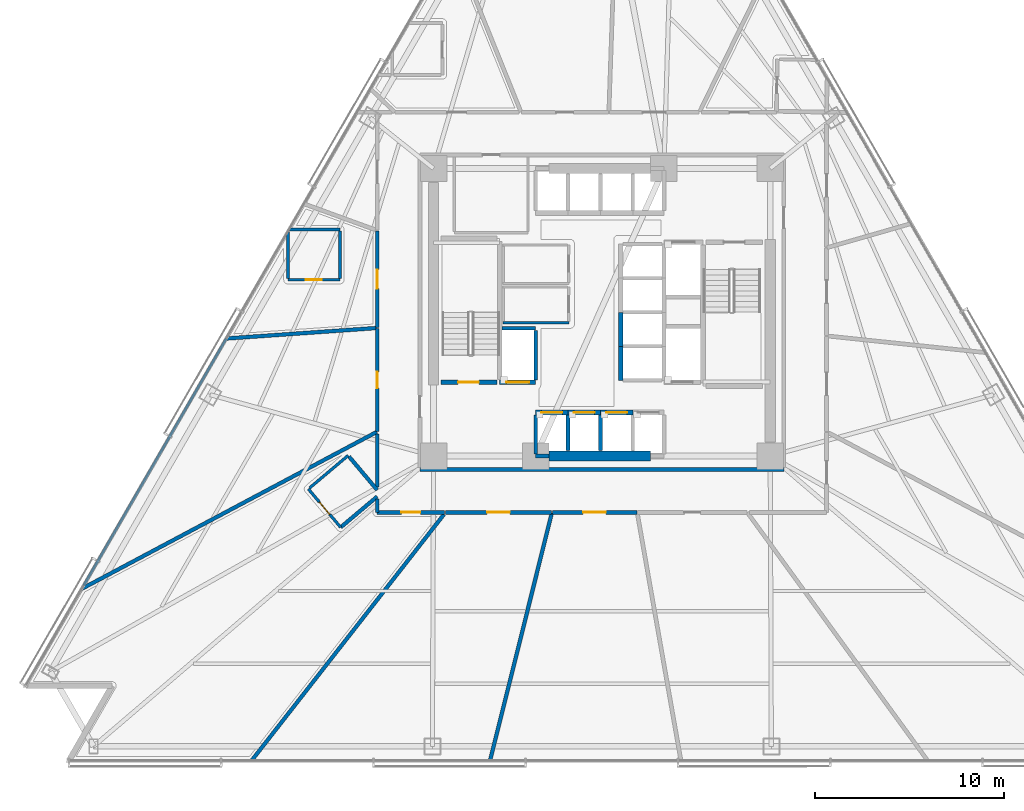
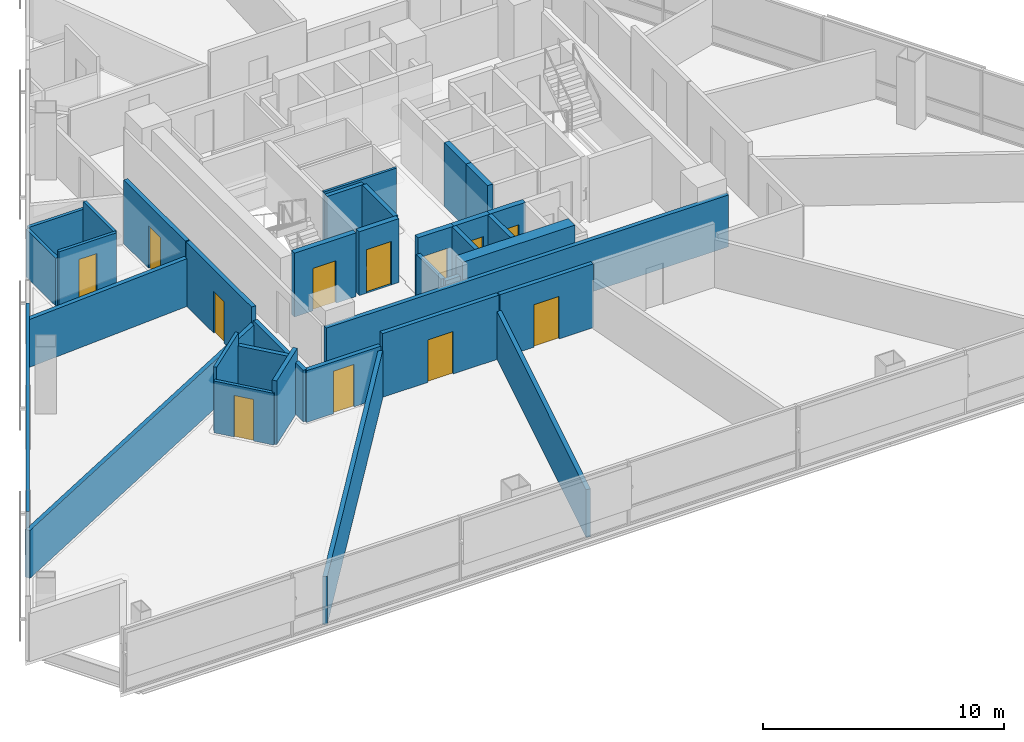
# One storey, part 7 of 16: 36 walls, 12 doors, 12 openings.
"""IFC4 building model written with IfcOpenShell, lengths in metres."""

from ifc_helpers import new_model, si_unit, direction, frame, frame_2d, origin, place, context, subcontext, project, spatial, rectangle, extrude, material, layer, layer_set, type_object, element, fill, save


model = new_model("IFC4")

# Units and contexts
model_context = context("Model", 3, precision=1e-05, world=origin(), true_north=direction((0.0, 1.0)))
body_context = subcontext(model_context, "Body", "Model", "MODEL_VIEW")
ifc_project = project(units=[si_unit("LENGTHUNIT", "METRE"), si_unit("AREAUNIT", "SQUARE_METRE"), si_unit("VOLUMEUNIT", "CUBIC_METRE"), si_unit("PLANEANGLEUNIT", "RADIAN"), si_unit("MASSUNIT", "GRAM", prefix="KILO")], contexts=[model_context])

# Site, building, storey
site_placement = place(None, origin())
site = spatial("IfcSite", under=ifc_project, at=site_placement, CompositionType="ELEMENT")
building_placement = place(site_placement, origin())
building = spatial("IfcBuilding", under=site, at=building_placement, Name="Tharavind Bronze Gate", CompositionType="ELEMENT")
storey_placement = place(building_placement, frame((0.0, 0.0, 45.449951171875)))
storey = spatial("IfcBuildingStorey", under=building, at=storey_placement, Name="L10", CompositionType="ELEMENT", Elevation=45.449951171875)

# Walls
ifc_material_1 = material(Name="Aerated Concrete Block", Category="concrete")
ifc_layer_1 = layer(ifc_material_1, 0.199951171875)
ifc_layer_set_1 = layer_set([ifc_layer_1], Name="Aerated Concrete Block")
wall_type_1 = type_object("IfcWallType", Name="FIRE RATED PARTITION 200", PredefinedType="PARTITIONING", material=ifc_layer_set_1)
wall_1_placement = place(storey_placement, frame((-9.6201171875, -8.320068359375, 0.0), z_axis=(0.0, 0.0, 1.0), x_axis=(1.0, 0.0, 0.0)))
element("IfcWall", 1, at=wall_1_placement, inside=storey, type_object=wall_type_1, Name="L10 south core corridor wall", PredefinedType="PARTITIONING", context=body_context, shape_type="SweptSolid", body=[
    extrude(rectangle(XDim=19.240234375, YDim=0.199951171875, at=frame_2d((9.6201171875, 0.0))), origin(), (0.0, 0.0, 1.0), 2.6201171875),
])
wall_2_placement = place(storey_placement, frame((-11.8798828125, -9.744873046875, 0.0), z_axis=(0.0, 0.0, 1.0), x_axis=(-0.764712982519, -0.644371053328, 0.0)))
element("IfcWall", 2, at=wall_2_placement, inside=storey, type_object=wall_type_1, Name="L10 En-Suite Bathroom partition", PredefinedType="PARTITIONING", context=body_context, shape_type="SweptSolid", body=[
    extrude(rectangle(XDim=2.523681640625, YDim=0.199951171875, at=frame_2d((1.26171875, 0.0))), origin(), (0.0, 0.0, 1.0), 3.22509765625),
])
wall_3_placement = place(storey_placement, frame((-13.363037109375, -7.6337890625, 0.0), z_axis=(0.0, 0.0, 1.0), x_axis=(0.644400290836, -0.764688345125, 0.0)))
element("IfcWall", 3, at=wall_3_placement, inside=storey, type_object=wall_type_1, Name="L10 En-Suite Bathroom partition", PredefinedType="PARTITIONING", context=body_context, shape_type="SweptSolid", body=[
    extrude(rectangle(XDim=2.301513671875, YDim=0.199951171875, at=frame_2d((1.15087890625, 0.0))), origin(), (0.0, 0.0, 1.0), 2.6201171875),
])
wall_4_placement = place(storey_placement, frame((-19.8408203125, -1.387451171875, 0.0), z_axis=(0.0, 0.0, 1.0), x_axis=(0.997562942672, 0.069772311179, 0.0)))
element("IfcWall", 4, at=wall_4_placement, inside=storey, type_object=wall_type_1, Name="L10 Public Restrooms Block partition", PredefinedType="PARTITIONING", context=body_context, shape_type="SweptSolid", body=[
    extrude(rectangle(XDim=7.953369140625, YDim=0.199951171875, at=frame_2d((3.9765625, 0.0))), origin(), (0.0, 0.0, 1.0), 2.420166015625),
])

# Wall, opening, door
wall_5_placement = place(storey_placement, frame((-11.8798828125, -0.857421875, 0.0), z_axis=(0.0, 0.0, 1.0), x_axis=(0.0, -1.0, 0.0)))
wall_5 = element("IfcWall", 5, at=wall_5_placement, inside=storey, type_object=wall_type_1, Name="L10 Public Restrooms Block partition", PredefinedType="PARTITIONING", context=body_context, shape_type="SweptSolid", body=[
    extrude(rectangle(XDim=5.4443359375, YDim=0.199951171875, at=frame_2d((2.72216796875, 0.0))), origin(), (0.0, 0.0, 1.0), 3.22509765625),
])
opening_1_placement = place(wall_5_placement, frame((2.297119140625, 0.0, 0.0)))
opening_1 = element("IfcOpeningElement", 6, at=opening_1_placement, cuts=wall_5, Name="Opening ID06", PredefinedType="OPENING", context=body_context, shape_type="SweptSolid", body=[
    extrude(rectangle(XDim=0.85009765625, YDim=2.10009765625, at=frame_2d((0.425048828125, 1.050048828125))), frame((0.0, 0.11009765625, 0.0), z_axis=(0.0, -1.0, 0.0), x_axis=(1.0, 0.0, 0.0)), (0.0, 0.0, 1.0), 0.219951171875),
])
ifc_material_2 = material(Name="Moisture-Resistant Timber", Category="wood")
door_type_1 = type_object("IfcDoorType", Name="BATHROOM PRIVACY DOOR 850X2100", OperationType="SINGLE_SWING_RIGHT", PredefinedType="DOOR", material=ifc_material_2)
door_1_placement = place(opening_1_placement, origin())
door_1 = element("IfcDoor", 7, at=door_1_placement, inside=storey, type_object=door_type_1, Name="L10 Public Restrooms Block door", OperationType="SINGLE_SWING_RIGHT", OverallHeight=2.10009765625, OverallWidth=0.85009765625, PredefinedType="DOOR", context=body_context, shape_type="SweptSolid", body=[
    extrude(rectangle(XDim=0.85009765625, YDim=2.10009765625, at=frame_2d((0.425048828125, 1.050048828125))), frame((0.0, 0.02490234375, 0.0), z_axis=(0.0, -1.0, 0.0), x_axis=(1.0, 0.0, 0.0)), (0.0, 0.0, 1.0), 0.050048828125),
])
fill(opening_1, door_1)

# Wall
wall_6_placement = place(storey_placement, frame((-11.893310546875, -6.32373046875, 0.0), z_axis=(0.0, 0.0, 1.0), x_axis=(-0.882944790092, -0.469476833985, 0.0)))
element("IfcWall", 8, at=wall_6_placement, inside=storey, type_object=wall_type_1, Name="L10 Public Restrooms Block partition", PredefinedType="PARTITIONING", context=body_context, shape_type="SweptSolid", body=[
    extrude(rectangle(XDim=17.6669921875, YDim=0.199951171875, at=frame_2d((8.83349609375, 0.0))), origin(), (0.0, 0.0, 1.0), 2.420166015625),
])

# Wall, opening, door
wall_7_placement = place(storey_placement, frame((-11.8798828125, 4.306396484375, 0.0), z_axis=(0.0, 0.0, 1.0), x_axis=(0.0, -1.0, 0.0)))
wall_7 = element("IfcWall", 9, at=wall_7_placement, inside=storey, type_object=wall_type_1, Name="L10 Corner Hotel Suite partition", PredefinedType="PARTITIONING", context=body_context, shape_type="SweptSolid", body=[
    extrude(rectangle(XDim=5.11376953125, YDim=0.199951171875, at=frame_2d((2.556884765625, 0.0))), origin(), (0.0, 0.0, 1.0), 3.22509765625),
])
opening_2_placement = place(wall_7_placement, frame((2.056884765625, 0.0, 0.0)))
opening_2 = element("IfcOpeningElement", 10, at=opening_2_placement, cuts=wall_7, Name="Opening ID03", PredefinedType="OPENING", context=body_context, shape_type="SweptSolid", body=[
    extrude(rectangle(XDim=1.0, YDim=2.14990234375, at=frame_2d((0.5, 1.074951171875))), frame((0.0, 0.11009765625, 0.0), z_axis=(0.0, -1.0, 0.0), x_axis=(1.0, 0.0, 0.0)), (0.0, 0.0, 1.0), 0.219951171875),
])
ifc_material_3 = material(Name="Solid Timber Veneer", Category="wood")
door_type_2 = type_object("IfcDoorType", Name="HOTEL SUITE ENTRANCE DOOR 1000X2150", OperationType="SINGLE_SWING_LEFT", PredefinedType="DOOR", material=ifc_material_3)
door_2_placement = place(opening_2_placement, origin())
door_2 = element("IfcDoor", 11, at=door_2_placement, inside=storey, type_object=door_type_2, Name="L10 Corner Hotel Suite door", OperationType="SINGLE_SWING_LEFT", OverallHeight=2.14990234375, OverallWidth=1.0, PredefinedType="DOOR", context=body_context, shape_type="SweptSolid", body=[
    extrude(rectangle(XDim=1.0, YDim=2.14990234375, at=frame_2d((0.5, 1.074951171875))), frame((0.0, 0.02490234375, 0.0), z_axis=(0.0, -1.0, 0.0), x_axis=(1.0, 0.0, 0.0)), (0.0, 0.0, 1.0), 0.050048828125),
])
fill(opening_2, door_2)

# Walls
wall_8_placement = place(storey_placement, frame((-11.8798828125, -6.435546875, 0.0), z_axis=(0.0, 0.0, 1.0), x_axis=(0.0, -1.0, 0.0)))
element("IfcWall", 12, at=wall_8_placement, inside=storey, type_object=wall_type_1, Name="L10 Deluxe Hotel Suite partition", PredefinedType="PARTITIONING", context=body_context, shape_type="SweptSolid", body=[
    extrude(rectangle(XDim=2.795166015625, YDim=0.199951171875, at=frame_2d((1.3974609375, 0.0))), origin(), (0.0, 0.0, 1.0), 2.6201171875),
])
wall_9_placement = place(storey_placement, frame((-11.8798828125, -9.882080078125, 0.0), z_axis=(0.0, 0.0, 1.0), x_axis=(0.0, -1.0, 0.0)))
element("IfcWall", 13, at=wall_9_placement, inside=storey, type_object=wall_type_1, Name="L10 Deluxe Hotel Suite partition", PredefinedType="PARTITIONING", context=body_context, shape_type="SweptSolid", body=[
    extrude(rectangle(XDim=0.697265625, YDim=0.199951171875, at=frame_2d((0.3486328125, 0.0))), origin(), (0.0, 0.0, 1.0), 2.6201171875),
])

# Wall, opening, door
wall_10_placement = place(storey_placement, frame((-11.87939453125, -10.580078125, 0.0), z_axis=(0.0, 0.0, 1.0), x_axis=(1.0, 0.0, 0.0)))
wall_10 = element("IfcWall", 14, at=wall_10_placement, inside=storey, type_object=wall_type_1, Name="L10 Deluxe Hotel Suite partition", PredefinedType="PARTITIONING", context=body_context, shape_type="SweptSolid", body=[
    extrude(rectangle(XDim=3.56201171875, YDim=0.199951171875, at=frame_2d((1.781005859375, 0.0))), origin(), (0.0, 0.0, 1.0), 2.6201171875),
])
opening_3_placement = place(wall_10_placement, frame((1.281005859375, 0.0, 0.0)))
opening_3 = element("IfcOpeningElement", 15, at=opening_3_placement, cuts=wall_10, Name="Opening ID03", PredefinedType="OPENING", context=body_context, shape_type="SweptSolid", body=[
    extrude(rectangle(XDim=1.0, YDim=2.14990234375, at=frame_2d((0.5, 1.074951171875))), frame((0.0, 0.11009765625, 0.0), z_axis=(0.0, -1.0, 0.0), x_axis=(1.0, 0.0, 0.0)), (0.0, 0.0, 1.0), 0.219951171875),
])
door_3_placement = place(opening_3_placement, origin())
door_3 = element("IfcDoor", 16, at=door_3_placement, inside=storey, type_object=door_type_2, Name="L10 Deluxe Hotel Suite door", OperationType="SINGLE_SWING_LEFT", OverallHeight=2.14990234375, OverallWidth=1.0, PredefinedType="DOOR", context=body_context, shape_type="SweptSolid", body=[
    extrude(rectangle(XDim=1.0, YDim=2.14990234375, at=frame_2d((0.5, 1.074951171875))), frame((0.0, 0.02490234375, 0.0), z_axis=(0.0, -1.0, 0.0), x_axis=(1.0, 0.0, 0.0)), (0.0, 0.0, 1.0), 0.050048828125),
])
fill(opening_3, door_3)

# Wall
wall_11_placement = place(storey_placement, frame((-8.34814453125, -10.68505859375, 0.0), z_axis=(0.0, 0.0, 1.0), x_axis=(-0.615660691561, -0.78801136595, 0.0)))
element("IfcWall", 17, at=wall_11_placement, inside=storey, type_object=wall_type_1, Name="L10 Deluxe Hotel Suite partition", PredefinedType="PARTITIONING", context=body_context, shape_type="SweptSolid", body=[
    extrude(rectangle(XDim=16.504150390625, YDim=0.199951171875, at=frame_2d((8.251953125, 0.0))), origin(), (0.0, 0.0, 1.0), 2.420166015625),
])

# Wall, opening, door
wall_12_placement = place(storey_placement, frame((-8.25390625, -10.580078125, 0.0), z_axis=(0.0, 0.0, 1.0), x_axis=(1.0, 0.0, 0.0)))
wall_12 = element("IfcWall", 18, at=wall_12_placement, inside=storey, type_object=wall_type_1, Name="L10 Hotel Guest Lounge partition", PredefinedType="PARTITIONING", context=body_context, shape_type="SweptSolid", body=[
    extrude(rectangle(XDim=5.583984375, YDim=0.199951171875, at=frame_2d((2.7919921875, 0.0))), origin(), (0.0, 0.0, 1.0), 3.22509765625),
])
opening_4_placement = place(wall_12_placement, frame((2.19189453125, 0.0, 0.0)))
opening_4 = element("IfcOpeningElement", 19, at=opening_4_placement, cuts=wall_12, Name="Opening ID05", PredefinedType="OPENING", context=body_context, shape_type="SweptSolid", body=[
    extrude(rectangle(XDim=1.199951171875, YDim=2.14990234375, at=frame_2d((0.60009765625, 1.074951171875))), frame((0.0, 0.11009765625, 0.0), z_axis=(0.0, -1.0, 0.0), x_axis=(1.0, 0.0, 0.0)), (0.0, 0.0, 1.0), 0.219951171875),
])
ifc_material_4 = material(Name="Acoustic Laminated Glass", Category="glass")
door_type_3 = type_object("IfcDoorType", Name="MEETING ROOM GLAZED DOOR 1200X2150", OperationType="SINGLE_SWING_LEFT", PredefinedType="DOOR", material=ifc_material_4)
door_4_placement = place(opening_4_placement, origin())
door_4 = element("IfcDoor", 20, at=door_4_placement, inside=storey, type_object=door_type_3, Name="L10 Hotel Guest Lounge door", OperationType="SINGLE_SWING_LEFT", OverallHeight=2.14990234375, OverallWidth=1.199951171875, PredefinedType="DOOR", context=body_context, shape_type="SweptSolid", body=[
    extrude(rectangle(XDim=1.199951171875, YDim=2.14990234375, at=frame_2d((0.60009765625, 1.074951171875))), frame((0.0, 0.02490234375, 0.0), z_axis=(0.0, -1.0, 0.0), x_axis=(1.0, 0.0, 0.0)), (0.0, 0.0, 1.0), 0.050048828125),
])
fill(opening_4, door_4)

# Wall
wall_13_placement = place(storey_placement, frame((-2.6455078125, -10.611083984375, 0.0), z_axis=(0.0, 0.0, 1.0), x_axis=(-0.241929995817, -0.970293706629, 0.0)))
element("IfcWall", 21, at=wall_13_placement, inside=storey, type_object=wall_type_1, Name="L10 Hotel Guest Lounge partition", PredefinedType="PARTITIONING", context=body_context, shape_type="SweptSolid", body=[
    extrude(rectangle(XDim=13.469970703125, YDim=0.199951171875, at=frame_2d((6.73486328125, 0.0))), origin(), (0.0, 0.0, 1.0), 2.420166015625),
])

# Wall, opening, door
wall_14_placement = place(storey_placement, frame((-2.618408203125, -10.580078125, 0.0), z_axis=(0.0, 0.0, 1.0), x_axis=(1.0, 0.0, 0.0)))
wall_14 = element("IfcWall", 22, at=wall_14_placement, inside=storey, type_object=wall_type_1, Name="L10 Hotel Guest Lounge partition", PredefinedType="PARTITIONING", context=body_context, shape_type="SweptSolid", body=[
    extrude(rectangle(XDim=4.462890625, YDim=0.199951171875, at=frame_2d((2.2314453125, 0.0))), origin(), (0.0, 0.0, 1.0), 3.22509765625),
])
opening_5_placement = place(wall_14_placement, frame((1.631103515625, 0.0, 0.0)))
opening_5 = element("IfcOpeningElement", 23, at=opening_5_placement, cuts=wall_14, Name="Opening ID05", PredefinedType="OPENING", context=body_context, shape_type="SweptSolid", body=[
    extrude(rectangle(XDim=1.199951171875, YDim=2.14990234375, at=frame_2d((0.60009765625, 1.074951171875))), frame((0.0, 0.11009765625, 0.0), z_axis=(0.0, -1.0, 0.0), x_axis=(1.0, 0.0, 0.0)), (0.0, 0.0, 1.0), 0.219951171875),
])
door_5_placement = place(opening_5_placement, origin())
door_5 = element("IfcDoor", 24, at=door_5_placement, inside=storey, type_object=door_type_3, Name="L10 Hotel Guest Lounge door", OperationType="SINGLE_SWING_LEFT", OverallHeight=2.14990234375, OverallWidth=1.199951171875, PredefinedType="DOOR", context=body_context, shape_type="SweptSolid", body=[
    extrude(rectangle(XDim=1.199951171875, YDim=2.14990234375, at=frame_2d((0.60009765625, 1.074951171875))), frame((0.0, 0.02490234375, 0.0), z_axis=(0.0, -1.0, 0.0), x_axis=(1.0, 0.0, 0.0)), (0.0, 0.0, 1.0), 0.050048828125),
])
fill(opening_5, door_5)

# Wall
ifc_material_5 = material(Name="Metal Stud Gypsum Partition", Category="gypsum")
ifc_layer_2 = layer(ifc_material_5, 0.1201171875)
ifc_layer_set_2 = layer_set([ifc_layer_2], Name="Metal Stud Gypsum Partition")
wall_type_2 = type_object("IfcWallType", Name="INTERIOR PARTITION WALL 120", PredefinedType="PARTITIONING", material=ifc_layer_set_2)
wall_15_placement = place(storey_placement, frame((-5.219970703125, -0.550048828125, 0.0), z_axis=(0.0, 0.0, 1.0), x_axis=(1.0, 0.0, 0.0)))
element("IfcWall", 25, at=wall_15_placement, inside=storey, type_object=wall_type_2, Name="L10 Electrical Switch Room partition 1", PredefinedType="PARTITIONING", context=body_context, shape_type="SweptSolid", body=[
    extrude(rectangle(XDim=3.469970703125, YDim=0.1201171875, at=frame_2d((1.73486328125, 0.0))), origin(), (0.0, 0.0, 1.0), 3.22509765625),
])

# Wall, opening, door
ifc_material_6 = material(Name="Twin Stud Acoustic Gypsum", Category="gypsum")
ifc_layer_3 = layer(ifc_material_6, 0.14990234375)
ifc_layer_set_3 = layer_set([ifc_layer_3], Name="Twin Stud Acoustic Gypsum")
wall_type_3 = type_object("IfcWallType", Name="INTERIOR PARTITION WALL 150", PredefinedType="PARTITIONING", material=ifc_layer_set_3)
wall_16_placement = place(storey_placement, frame((-13.85009765625, 1.717529296875, 0.0), z_axis=(0.0, 0.0, 1.0), x_axis=(-1.0, 0.0, 0.0)))
wall_16 = element("IfcWall", 26, at=wall_16_placement, inside=storey, type_object=wall_type_3, Name="L10 En-Suite Bathroom partition", PredefinedType="PARTITIONING", context=body_context, shape_type="SweptSolid", body=[
    extrude(rectangle(XDim=2.75, YDim=0.14990234375, at=frame_2d((1.375, 0.0))), origin(), (0.0, 0.0, 1.0), 2.820068359375),
])
opening_6_placement = place(wall_16_placement, frame((0.949951171875, 0.0, 0.0)))
opening_6 = element("IfcOpeningElement", 27, at=opening_6_placement, cuts=wall_16, Name="Opening ID06", PredefinedType="OPENING", context=body_context, shape_type="SweptSolid", body=[
    extrude(rectangle(XDim=0.85009765625, YDim=2.10009765625, at=frame_2d((0.425048828125, 1.050048828125))), frame((0.0, 0.084951171875, 0.0), z_axis=(0.0, -1.0, 0.0), x_axis=(1.0, 0.0, 0.0)), (0.0, 0.0, 1.0), 0.16990234375),
])
door_6_placement = place(opening_6_placement, origin())
door_6 = element("IfcDoor", 28, at=door_6_placement, inside=storey, type_object=door_type_1, Name="L10 En-Suite Bathroom door", OperationType="SINGLE_SWING_RIGHT", OverallHeight=2.10009765625, OverallWidth=0.85009765625, PredefinedType="DOOR", context=body_context, shape_type="SweptSolid", body=[
    extrude(rectangle(XDim=0.85009765625, YDim=2.10009765625, at=frame_2d((0.425048828125, 1.050048828125))), frame((0.0, 0.02490234375, 0.0), z_axis=(0.0, -1.0, 0.0), x_axis=(1.0, 0.0, 0.0)), (0.0, 0.0, 1.0), 0.050048828125),
])
fill(opening_6, door_6)

# Walls
wall_17_placement = place(storey_placement, frame((-16.60009765625, 1.797607421875, 0.0), z_axis=(0.0, 0.0, 1.0), x_axis=(0.0, 1.0, 0.0)))
element("IfcWall", 29, at=wall_17_placement, inside=storey, type_object=wall_type_3, Name="L10 En-Suite Bathroom partition", PredefinedType="PARTITIONING", context=body_context, shape_type="SweptSolid", body=[
    extrude(rectangle(XDim=2.450439453125, YDim=0.14990234375, at=frame_2d((1.22509765625, 0.0))), origin(), (0.0, 0.0, 1.0), 2.420166015625),
])
wall_18_placement = place(storey_placement, frame((-16.531005859375, 4.36767578125, 0.0), z_axis=(0.0, 0.0, 1.0), x_axis=(1.0, 0.0, 0.0)))
element("IfcWall", 30, at=wall_18_placement, inside=storey, type_object=wall_type_3, Name="L10 En-Suite Bathroom partition", PredefinedType="PARTITIONING", context=body_context, shape_type="SweptSolid", body=[
    extrude(rectangle(XDim=2.680908203125, YDim=0.14990234375, at=frame_2d((1.34033203125, 0.0))), origin(), (0.0, 0.0, 1.0), 2.420166015625),
])
wall_19_placement = place(storey_placement, frame((-13.85009765625, 4.28759765625, 0.0), z_axis=(0.0, 0.0, 1.0), x_axis=(0.0, -1.0, 0.0)))
element("IfcWall", 31, at=wall_19_placement, inside=storey, type_object=wall_type_3, Name="L10 En-Suite Bathroom partition", PredefinedType="PARTITIONING", context=body_context, shape_type="SweptSolid", body=[
    extrude(rectangle(XDim=2.489990234375, YDim=0.14990234375, at=frame_2d((1.2451171875, 0.0))), origin(), (0.0, 0.0, 1.0), 2.820068359375),
])

# Wall, opening, door
wall_20_placement = place(storey_placement, frame((-13.809814453125, -11.37109375, 0.0), z_axis=(0.0, 0.0, 1.0), x_axis=(-0.644478981733, 0.764622025647, 0.0)))
wall_20 = element("IfcWall", 32, at=wall_20_placement, inside=storey, type_object=wall_type_3, Name="L10 En-Suite Bathroom partition", PredefinedType="PARTITIONING", context=body_context, shape_type="SweptSolid", body=[
    extrude(rectangle(XDim=2.64990234375, YDim=0.14990234375, at=frame_2d((1.324951171875, 0.0))), origin(), (0.0, 0.0, 1.0), 2.6201171875),
])
opening_7_placement = place(wall_20_placement, frame((0.89990234375, 0.0, 0.0)))
opening_7 = element("IfcOpeningElement", 33, at=opening_7_placement, cuts=wall_20, Name="Opening ID06", PredefinedType="OPENING", context=body_context, shape_type="SweptSolid", body=[
    extrude(rectangle(XDim=0.85009765625, YDim=2.10009765625, at=frame_2d((0.425048828125, 1.050048828125))), frame((0.0, 0.084951171875, 0.0), z_axis=(0.0, -1.0, 0.0), x_axis=(1.0, 0.0, 0.0)), (0.0, 0.0, 1.0), 0.16990234375),
])
door_7_placement = place(opening_7_placement, origin())
door_7 = element("IfcDoor", 34, at=door_7_placement, inside=storey, type_object=door_type_1, Name="L10 En-Suite Bathroom door", OperationType="SINGLE_SWING_RIGHT", OverallHeight=2.10009765625, OverallWidth=0.85009765625, PredefinedType="DOOR", context=body_context, shape_type="SweptSolid", body=[
    extrude(rectangle(XDim=0.85009765625, YDim=2.10009765625, at=frame_2d((0.425048828125, 1.050048828125))), frame((0.0, 0.02490234375, 0.0), z_axis=(0.0, -1.0, 0.0), x_axis=(1.0, 0.0, 0.0)), (0.0, 0.0, 1.0), 0.050048828125),
])
fill(opening_7, door_7)

# Walls
wall_21_placement = place(storey_placement, frame((-15.456298828125, -9.293212890625, 0.0), z_axis=(0.0, 0.0, 1.0), x_axis=(0.764709608169, 0.644375057846, 0.0)))
element("IfcWall", 35, at=wall_21_placement, inside=storey, type_object=wall_type_3, Name="L10 En-Suite Bathroom partition", PredefinedType="PARTITIONING", context=body_context, shape_type="SweptSolid", body=[
    extrude(rectangle(XDim=2.669921875, YDim=0.14990234375, at=frame_2d((1.3349609375, 0.0))), origin(), (0.0, 0.0, 1.0), 3.22509765625),
])
wall_22_placement = place(storey_placement, frame((-27.393310546875, -14.4462890625, 0.0), z_axis=(0.0, 0.0, 1.0), x_axis=(0.500006761757, 0.866021499847, 0.0)))
element("IfcWall", 36, at=wall_22_placement, inside=storey, type_object=wall_type_3, Name="L10 Public Restrooms Block partition", PredefinedType="PARTITIONING", context=body_context, shape_type="SweptSolid", body=[
    extrude(rectangle(XDim=15.064697265625, YDim=0.14990234375, at=frame_2d((7.5322265625, 0.0))), origin(), (0.0, 0.0, 1.0), 3.22509765625),
])

# Wall, opening, door
ifc_material_7 = material(Name="Concrete C50/60", Category="concrete")
ifc_layer_4 = layer(ifc_material_7, 0.25)
ifc_layer_set_4 = layer_set([ifc_layer_4], Name="Concrete C50/60")
wall_type_4 = type_object("IfcWallType", Name="RC CORE SHEAR WALL 250", PredefinedType="SHEAR", material=ifc_layer_set_4)
wall_23_placement = place(storey_placement, frame((-8.5, -3.699951171875, 0.0), z_axis=(0.0, 0.0, 1.0), x_axis=(1.0, 0.0, 0.0)))
wall_23 = element("IfcWall", 37, at=wall_23_placement, inside=storey, type_object=wall_type_4, Name="L10 ST1 shaft south wall", PredefinedType="SHEAR", context=body_context, shape_type="SweptSolid", body=[
    extrude(rectangle(XDim=2.949951171875, YDim=0.25, at=frame_2d((1.47509765625, 0.0))), origin(), (0.0, 0.0, 1.0), 3.22509765625),
])
opening_8_placement = place(wall_23_placement, frame((0.89990234375, 0.0, 0.0)))
opening_8 = element("IfcOpeningElement", 38, at=opening_8_placement, cuts=wall_23, Name="Opening ID01", PredefinedType="OPENING", context=body_context, shape_type="SweptSolid", body=[
    extrude(rectangle(XDim=1.10009765625, YDim=2.14990234375, at=frame_2d((0.550048828125, 1.074951171875))), frame((0.0, 0.135, 0.0), z_axis=(0.0, -1.0, 0.0), x_axis=(1.0, 0.0, 0.0)), (0.0, 0.0, 1.0), 0.27),
])
ifc_material_8 = material(Name="Fire-Rated Steel", Category="steel")
door_type_4 = type_object("IfcDoorType", Name="STAIR CORE FIRE DOOR 1100X2150", OperationType="SINGLE_SWING_LEFT", PredefinedType="DOOR", material=ifc_material_8)
door_8_placement = place(opening_8_placement, origin())
door_8 = element("IfcDoor", 39, at=door_8_placement, inside=storey, type_object=door_type_4, Name="L10 exit stair ST1 fire door", OperationType="SINGLE_SWING_LEFT", OverallHeight=2.14990234375, OverallWidth=1.10009765625, PredefinedType="DOOR", context=body_context, shape_type="SweptSolid", body=[
    extrude(rectangle(XDim=1.10009765625, YDim=2.14990234375, at=frame_2d((0.550048828125, 1.074951171875))), frame((0.0, 0.02490234375, 0.0), z_axis=(0.0, -1.0, 0.0), x_axis=(1.0, 0.0, 0.0)), (0.0, 0.0, 1.0), 0.050048828125),
])
fill(opening_8, door_8)

wall_24_placement = place(storey_placement, frame((-3.5, -5.300048828125, 0.0), z_axis=(0.0, 0.0, 1.0), x_axis=(1.0, 0.0, 0.0)))
wall_24 = element("IfcWall", 40, at=wall_24_placement, inside=storey, type_object=wall_type_4, Name="L10 lift PL1 shaft front wall", PredefinedType="SHEAR", context=body_context, shape_type="SweptSolid", body=[
    extrude(rectangle(XDim=1.71240234375, YDim=0.25, at=frame_2d((0.856201171875, 0.0))), origin(), (0.0, 0.0, 1.0), 3.22509765625),
])
opening_9_placement = place(wall_24_placement, frame((0.305908203125, 0.0, 0.0)))
opening_9 = element("IfcOpeningElement", 41, at=opening_9_placement, cuts=wall_24, Name="Opening LD01", PredefinedType="OPENING", context=body_context, shape_type="SweptSolid", body=[
    extrude(rectangle(XDim=1.10009765625, YDim=2.199951171875, at=frame_2d((0.550048828125, 1.10009765625))), frame((0.0, 0.135, 0.0), z_axis=(0.0, -1.0, 0.0), x_axis=(1.0, 0.0, 0.0)), (0.0, 0.0, 1.0), 0.27),
])
ifc_material_9 = material(Name="Brushed Bronze Stainless Steel", Category="steel")
door_type_5 = type_object("IfcDoorType", Name="LIFT LANDING SLIDING DOOR 1100X2200", OperationType="SLIDING_TO_LEFT", PredefinedType="DOOR", material=ifc_material_9)
door_9_placement = place(opening_9_placement, origin())
door_9 = element("IfcDoor", 42, at=door_9_placement, inside=storey, type_object=door_type_5, Name="L10 lift PL1 sliding landing door", OperationType="SLIDING_TO_LEFT", OverallHeight=2.199951171875, OverallWidth=1.10009765625, PredefinedType="DOOR", context=body_context, shape_type="SweptSolid", body=[
    extrude(rectangle(XDim=1.10009765625, YDim=2.199951171875, at=frame_2d((0.550048828125, 1.10009765625))), frame((0.0, 0.02490234375, 0.0), z_axis=(0.0, -1.0, 0.0), x_axis=(1.0, 0.0, 0.0)), (0.0, 0.0, 1.0), 0.050048828125),
])
fill(opening_9, door_9)

wall_25_placement = place(storey_placement, frame((-1.78759765625, -5.300048828125, 0.0), z_axis=(0.0, 0.0, 1.0), x_axis=(1.0, 0.0, 0.0)))
wall_25 = element("IfcWall", 43, at=wall_25_placement, inside=storey, type_object=wall_type_4, Name="L10 lift PL2 shaft front wall", PredefinedType="SHEAR", context=body_context, shape_type="SweptSolid", body=[
    extrude(rectangle(XDim=1.712646484375, YDim=0.25, at=frame_2d((0.8564453125, 0.0))), origin(), (0.0, 0.0, 1.0), 3.22509765625),
])
opening_10_placement = place(wall_25_placement, frame((0.305908203125, 0.0, 0.0)))
opening_10 = element("IfcOpeningElement", 44, at=opening_10_placement, cuts=wall_25, Name="Opening LD01", PredefinedType="OPENING", context=body_context, shape_type="SweptSolid", body=[
    extrude(rectangle(XDim=1.10009765625, YDim=2.199951171875, at=frame_2d((0.550048828125, 1.10009765625))), frame((0.0, 0.135, 0.0), z_axis=(0.0, -1.0, 0.0), x_axis=(1.0, 0.0, 0.0)), (0.0, 0.0, 1.0), 0.27),
])
door_10_placement = place(opening_10_placement, origin())
door_10 = element("IfcDoor", 45, at=door_10_placement, inside=storey, type_object=door_type_5, Name="L10 lift PL2 sliding landing door", OperationType="SLIDING_TO_LEFT", OverallHeight=2.199951171875, OverallWidth=1.10009765625, PredefinedType="DOOR", context=body_context, shape_type="SweptSolid", body=[
    extrude(rectangle(XDim=1.10009765625, YDim=2.199951171875, at=frame_2d((0.550048828125, 1.10009765625))), frame((0.0, 0.02490234375, 0.0), z_axis=(0.0, -1.0, 0.0), x_axis=(1.0, 0.0, 0.0)), (0.0, 0.0, 1.0), 0.050048828125),
])
fill(opening_10, door_10)

wall_26_placement = place(storey_placement, frame((-0.074951171875, -5.300048828125, 0.0), z_axis=(0.0, 0.0, 1.0), x_axis=(1.0, 0.0, 0.0)))
wall_26 = element("IfcWall", 46, at=wall_26_placement, inside=storey, type_object=wall_type_4, Name="L10 lift PL3 shaft front wall", PredefinedType="SHEAR", context=body_context, shape_type="SweptSolid", body=[
    extrude(rectangle(XDim=1.71240234375, YDim=0.25, at=frame_2d((0.856201171875, 0.0))), origin(), (0.0, 0.0, 1.0), 3.22509765625),
])
opening_11_placement = place(wall_26_placement, frame((0.305908203125, 0.0, 0.0)))
opening_11 = element("IfcOpeningElement", 47, at=opening_11_placement, cuts=wall_26, Name="Opening LD01", PredefinedType="OPENING", context=body_context, shape_type="SweptSolid", body=[
    extrude(rectangle(XDim=1.10009765625, YDim=2.199951171875, at=frame_2d((0.550048828125, 1.10009765625))), frame((0.0, 0.135, 0.0), z_axis=(0.0, -1.0, 0.0), x_axis=(1.0, 0.0, 0.0)), (0.0, 0.0, 1.0), 0.27),
])
door_11_placement = place(opening_11_placement, origin())
door_11 = element("IfcDoor", 48, at=door_11_placement, inside=storey, type_object=door_type_5, Name="L10 lift PL3 sliding landing door", OperationType="SLIDING_TO_LEFT", OverallHeight=2.199951171875, OverallWidth=1.10009765625, PredefinedType="DOOR", context=body_context, shape_type="SweptSolid", body=[
    extrude(rectangle(XDim=1.10009765625, YDim=2.199951171875, at=frame_2d((0.550048828125, 1.10009765625))), frame((0.0, 0.02490234375, 0.0), z_axis=(0.0, -1.0, 0.0), x_axis=(1.0, 0.0, 0.0)), (0.0, 0.0, 1.0), 0.050048828125),
])
fill(opening_11, door_11)

# Walls
for number, where, z_axis, x_axis, name in (
    (49, (1.0, -3.60009765625, 0.0), (0.0, 0.0, 1.0), (0.0, 1.0, 0.0), "L10 lift PL9 shaft front wall"),
    (50, (1.0, -1.800048828125, 0.0), (0.0, 0.0, 1.0), (0.0, 1.0, 0.0), "L10 lift PL10 shaft front wall"),
):
    element("IfcWall", number, at=place(storey_placement, frame(where, z_axis=z_axis, x_axis=x_axis)), inside=storey, type_object=wall_type_4, Name=name, PredefinedType="SHEAR", context=body_context, shape_type="SweptSolid", body=[
        extrude(rectangle(XDim=1.800048828125, YDim=0.25, at=frame_2d((0.89990234375, 0.0))), origin(), (0.0, 0.0, 1.0), 3.22509765625),
    ])

# Wall, opening, door
wall_27_placement = place(storey_placement, frame((-5.39990234375, -3.699951171875, 0.0), z_axis=(0.0, 0.0, 1.0), x_axis=(1.0, 0.0, 0.0)))
wall_27 = element("IfcWall", 51, at=wall_27_placement, inside=storey, type_object=wall_type_4, Name="L10 lift FFL1 shaft front wall", PredefinedType="SHEAR", context=body_context, shape_type="SweptSolid", body=[
    extrude(rectangle(XDim=1.89990234375, YDim=0.25, at=frame_2d((0.949951171875, 0.0))), origin(), (0.0, 0.0, 1.0), 3.22509765625),
])
opening_12_placement = place(wall_27_placement, frame((0.35009765625, 0.0, 0.0)))
opening_12 = element("IfcOpeningElement", 52, at=opening_12_placement, cuts=wall_27, Name="Opening LD02", PredefinedType="OPENING", context=body_context, shape_type="SweptSolid", body=[
    extrude(rectangle(XDim=1.199951171875, YDim=2.199951171875, at=frame_2d((0.60009765625, 1.10009765625))), frame((0.0, 0.135, 0.0), z_axis=(0.0, -1.0, 0.0), x_axis=(1.0, 0.0, 0.0)), (0.0, 0.0, 1.0), 0.27),
])
ifc_material_10 = material(Name="Brushed Stainless Steel", Category="steel")
door_type_6 = type_object("IfcDoorType", Name="FIREFIGHTING LIFT LANDING DOOR 1200X2200", OperationType="SLIDING_TO_RIGHT", PredefinedType="DOOR", material=ifc_material_10)
door_12_placement = place(opening_12_placement, origin())
door_12 = element("IfcDoor", 53, at=door_12_placement, inside=storey, type_object=door_type_6, Name="L10 lift FFL1 sliding landing door", OperationType="SLIDING_TO_RIGHT", OverallHeight=2.199951171875, OverallWidth=1.199951171875, PredefinedType="DOOR", context=body_context, shape_type="SweptSolid", body=[
    extrude(rectangle(XDim=1.199951171875, YDim=2.199951171875, at=frame_2d((0.60009765625, 1.10009765625))), frame((0.0, 0.02490234375, 0.0), z_axis=(0.0, -1.0, 0.0), x_axis=(1.0, 0.0, 0.0)), (0.0, 0.0, 1.0), 0.050048828125),
])
fill(opening_12, door_12)

# Walls
ifc_material_11 = material(Name="Concrete C60/75", Category="concrete")
ifc_layer_5 = layer(ifc_material_11, 0.550048828125)
ifc_layer_set_5 = layer_set([ifc_layer_5], Name="Concrete C60/75")
wall_type_5 = type_object("IfcWallType", Name="RC CORE SHEAR WALL 550", PredefinedType="SHEAR", material=ifc_layer_set_5)
wall_28_placement = place(storey_placement, frame((-2.800048828125, -7.60009765625, 0.0), z_axis=(0.0, 0.0, 1.0), x_axis=(1.0, 0.0, 0.0)))
element("IfcWall", 54, at=wall_28_placement, inside=storey, type_object=wall_type_5, Name="L10 south core shear wall", PredefinedType="SHEAR", context=body_context, shape_type="SweptSolid", body=[
    extrude(rectangle(XDim=5.380126953125, YDim=0.550048828125, at=frame_2d((2.68994140625, 0.0))), origin(), (0.0, 0.0, 1.0), 3.22509765625),
])
ifc_material_12 = material(Name="Concrete C40/50", Category="concrete")
ifc_layer_6 = layer(ifc_material_12, 0.199951171875)
ifc_layer_set_6 = layer_set([ifc_layer_6], Name="Concrete C40/50")
wall_type_6 = type_object("IfcWallType", Name="SHAFT ENCLOSURE WALL 200", PredefinedType="PARTITIONING", material=ifc_layer_set_6)
wall_29_placement = place(storey_placement, frame((-3.5, -7.60009765625, 0.0), z_axis=(0.0, 0.0, 1.0), x_axis=(1.0, 0.0, 0.0)))
element("IfcWall", 55, at=wall_29_placement, inside=storey, type_object=wall_type_6, Name="L10 lift PL1 shaft S enclosure wall", PredefinedType="PARTITIONING", context=body_context, shape_type="SweptSolid", body=[
    extrude(rectangle(XDim=0.699951171875, YDim=0.199951171875, at=frame_2d((0.35009765625, 0.0))), origin(), (0.0, 0.0, 1.0), 2.420166015625),
])
wall_30_placement = place(storey_placement, frame((-3.5, -7.4951171875, 0.0), z_axis=(0.0, 0.0, 1.0), x_axis=(0.0, 1.0, 0.0)))
element("IfcWall", 56, at=wall_30_placement, inside=storey, type_object=wall_type_6, Name="L10 lift PL1 shaft W enclosure wall", PredefinedType="PARTITIONING", context=body_context, shape_type="SweptSolid", body=[
    extrude(rectangle(XDim=2.065185546875, YDim=0.199951171875, at=frame_2d((1.03271484375, 0.0))), origin(), (0.0, 0.0, 1.0), 2.420166015625),
])
for number, where, z_axis, x_axis, name in (
    (57, (-1.78759765625, -7.320068359375, 0.0), (0.0, 0.0, 1.0), (0.0, 1.0, 0.0), "L10 lift PL1 shaft E enclosure wall"),
    (58, (-0.074951171875, -7.320068359375, 0.0), (0.0, 0.0, 1.0), (0.0, 1.0, 0.0), "L10 lift PL2 shaft E enclosure wall"),
):
    element("IfcWall", number, at=place(storey_placement, frame(where, z_axis=z_axis, x_axis=x_axis)), inside=storey, type_object=wall_type_6, Name=name, PredefinedType="PARTITIONING", context=body_context, shape_type="SweptSolid", body=[
        extrude(rectangle(XDim=1.89013671875, YDim=0.199951171875, at=frame_2d((0.945068359375, 0.0))), origin(), (0.0, 0.0, 1.0), 3.22509765625),
    ])
wall_31_placement = place(storey_placement, frame((-5.27001953125, -0.85009765625, 0.0), z_axis=(0.0, 0.0, 1.0), x_axis=(1.0, 0.0, 0.0)))
element("IfcWall", 59, at=wall_31_placement, inside=storey, type_object=wall_type_6, Name="L10 lift FFL1 shaft N enclosure wall", PredefinedType="PARTITIONING", context=body_context, shape_type="SweptSolid", body=[
    extrude(rectangle(XDim=1.77001953125, YDim=0.199951171875, at=frame_2d((0.885009765625, 0.0))), origin(), (0.0, 0.0, 1.0), 3.22509765625),
])
wall_32_placement = place(storey_placement, frame((-3.5, -3.570068359375, 0.0), z_axis=(0.0, 0.0, 1.0), x_axis=(0.0, 1.0, 0.0)))
element("IfcWall", 60, at=wall_32_placement, inside=storey, type_object=wall_type_6, Name="L10 lift FFL1 shaft E enclosure wall", PredefinedType="PARTITIONING", context=body_context, shape_type="SweptSolid", body=[
    extrude(rectangle(XDim=2.614990234375, YDim=0.199951171875, at=frame_2d((1.3076171875, 0.0))), origin(), (0.0, 0.0, 1.0), 3.22509765625),
])

save(model, "model.ifc")
